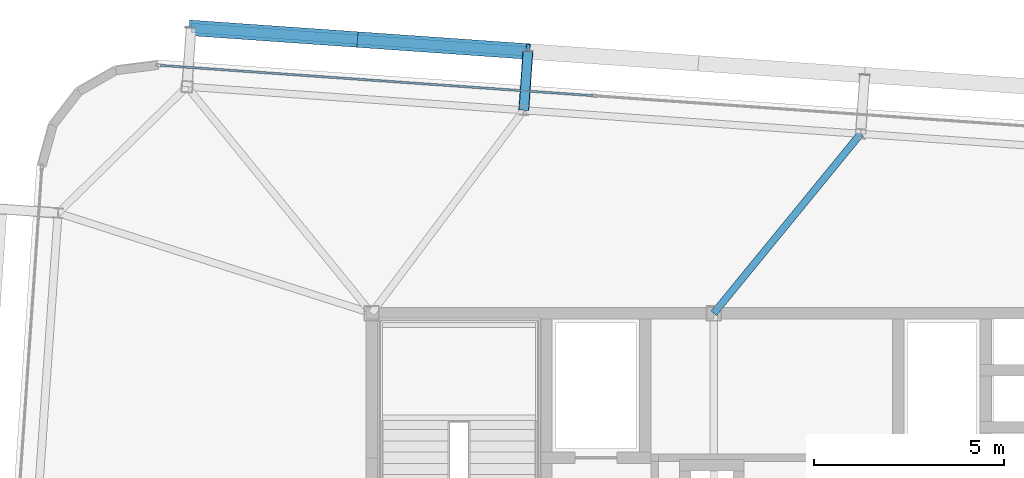
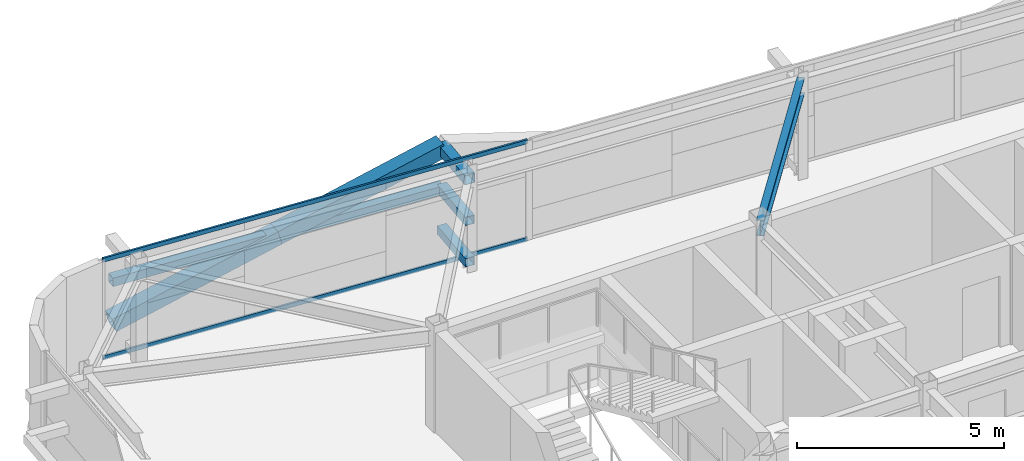
# One storey, part 20 of 39: 8 members, 1 beam, 1 element without a shape of its own.
"""IFC4 building model written with IfcOpenShell, lengths in metres."""

from ifc_helpers import new_model, si_unit, direction, frame, origin, origin_2d, place, context, subcontext, project, spatial, hollow_rectangle, i_section, extrude, source, transform, mapped, material, layer, layer_set, material_profile, profile_set, type_object, element, aggregate, save


model = new_model("IFC4")

# Units and contexts
model_context = context("Model", 3, precision=1e-05, world=origin(), true_north=direction((0.0, 1.0)))
body_context = subcontext(model_context, "Body", "Model", "MODEL_VIEW")
ifc_project = project(units=[si_unit("LENGTHUNIT", "METRE"), si_unit("AREAUNIT", "SQUARE_METRE"), si_unit("VOLUMEUNIT", "CUBIC_METRE"), si_unit("PLANEANGLEUNIT", "RADIAN"), si_unit("MASSUNIT", "GRAM", prefix="KILO")], contexts=[model_context])

# Site, building, storey
site_placement = place(None, origin())
site = spatial("IfcSite", under=ifc_project, at=site_placement, CompositionType="ELEMENT")
building_placement = place(site_placement, origin())
building = spatial("IfcBuilding", under=site, at=building_placement, Name="Taldren Reach Tower", CompositionType="ELEMENT")
storey_placement = place(building_placement, frame((0.0, 0.0, 126.699951171875)))
storey = spatial("IfcBuildingStorey", under=building, at=storey_placement, Name="L38", CompositionType="ELEMENT", Elevation=126.699951171875)

# Members
ifc_material_1 = material(Name="Steel Gr 450 (C450L0)", Category="steel")
ifc_material_profile_1 = material_profile(ifc_material_1, hollow_rectangle(XDim=0.27490234375, YDim=0.27490234375, WallThickness=0.00927734375, at=origin_2d()), Name="275x275x9.3SHS")
ifc_profile_set_1 = profile_set([ifc_material_profile_1], Name="Steel Gr 450 (C450L0)")
member_type_1 = type_object("IfcMemberType", Name="MB-TIE273", PredefinedType="STRUT", material=ifc_profile_set_1)
shared_shape_1 = source(origin(), body_context, "Body", "SweptSolid", [
    extrude(hollow_rectangle(XDim=0.27490234375, YDim=0.27490234375, WallThickness=0.00927734375, at=origin_2d()), origin(), (0.0, 0.0, 1.0), 1.5498046875),
])
member_1_placement = place(storey_placement, frame((23.0029296875, 37.33935546875, 2.650146484375), z_axis=(0.069780535098, 0.997562367434, 0.0), x_axis=(-0.997562367434, 0.069780535098, 0.0)))
element("IfcMember", 1, at=member_1_placement, inside=storey, type_object=member_type_1, Name="Exoskeleton diaphragm tie strut B3-N2 L38", PredefinedType="STRUT", context=body_context, shape_type="MappedRepresentation", body=[
    mapped(shared_shape_1, transform((0.0, 0.0, 0.0), scale=1.0)),
])
ifc_material_2 = material(Name="Steel Gr 350 (C350L0)", Category="steel")
ifc_material_profile_2 = material_profile(ifc_material_2, hollow_rectangle(XDim=0.25, YDim=0.25, WallThickness=0.010009765625, at=origin_2d()), Name="250x250x10.0SHS")
ifc_profile_set_2 = profile_set([ifc_material_profile_2], Name="Steel Gr 350 (C350L0)")
member_type_2 = type_object("IfcMemberType", Name="MB-POST250", PredefinedType="POST", material=ifc_profile_set_2)
shared_shape_2 = source(origin(), body_context, "Body", "SweptSolid", [
    extrude(hollow_rectangle(XDim=0.25, YDim=0.25, WallThickness=0.010009765625, at=origin_2d()), origin(), (0.0, 0.0, 1.0), 1.5498046875),
])
for number, where, z_axis, x_axis, name in (
    (2, (23.0029296875, 37.33935546875, 0.219970703125), (0.069780535098, 0.997562367434, 0.0), (-0.997562367434, 0.069780535098, 0.0), "Exoskeleton base diaphragm tie strut B3-N2 L38"),
    (3, (23.0029296875, 37.33935546875, 1.43505859375), (0.069780535098, 0.997562367434, 0.0), (-0.997562367434, 0.069780535098, 0.0), "Exoskeleton mid-tier diaphragm tie B3-N2 L38"),
):
    element("IfcMember", number, at=place(storey_placement, frame(where, z_axis=z_axis, x_axis=x_axis)), inside=storey, type_object=member_type_2, Name=name, PredefinedType="POST", context=body_context, shape_type="MappedRepresentation", body=[
        mapped(shared_shape_2, transform((0.0, 0.0, 0.0), scale=1.0)),
    ])

# Beam
ifc_material_3 = material(Name="Steel Gr 350 (350PLUS)", Category="steel")
ifc_material_profile_3 = material_profile(ifc_material_3, i_section(OverallWidth=0.19091796875, OverallDepth=0.4599609375, WebThickness=0.010009765625, FlangeThickness=0.01611328125, at=origin_2d()), Name="460UB82.1")
ifc_profile_set_3 = profile_set([ifc_material_profile_3], Name="Steel Gr 350 (350PLUS)")
beam_type = type_object("IfcBeamType", Name="BM-UB460A", PredefinedType="BEAM", material=ifc_profile_set_3)
shared_shape_3 = source(origin(), body_context, "Body", "SweptSolid", [
    extrude(i_section(OverallWidth=0.19091796875, OverallDepth=0.4599609375, WebThickness=0.010009765625, FlangeThickness=0.01611328125, at=origin_2d()), origin(), (0.0, 0.0, 1.0), 6.09814453125),
])
beam_placement = place(storey_placement, frame((28.0, 32.0, 2.699951171875), z_axis=(0.633192006663, 0.773994756247, 0.0), x_axis=(-0.773994756247, 0.633192006663, 0.0)))
element("IfcBeam", 4, at=beam_placement, inside=storey, type_object=beam_type, Name="Primary floor girder B3-N3 L38", PredefinedType="BEAM", context=body_context, shape_type="MappedRepresentation", body=[
    mapped(shared_shape_3, transform((0.0, 0.0, 0.0), scale=1.0)),
])

# Members
shared_shape_4 = source(origin(), body_context, "Body", "SweptSolid", [
    extrude(hollow_rectangle(XDim=0.25, YDim=0.25, WallThickness=0.010009765625, at=origin_2d()), origin(), (0.0, 0.0, 1.0), 8.880126953125),
])
member_2_placement = place(storey_placement, frame((14.252685546875, 39.5048828125, 1.43505859375), z_axis=(0.997564479639, -0.069750333063, 0.0), x_axis=(0.069750333063, 0.997564479639, 0.0)))
element("IfcMember", 5, at=member_2_placement, inside=storey, type_object=member_type_2, Name="Exoskeleton mid-height ring chord B3-N1 L38", PredefinedType="POST", context=body_context, shape_type="MappedRepresentation", body=[
    mapped(shared_shape_4, transform((0.0, 0.0, 0.0), scale=1.0)),
])
ifc_material_profile_4 = material_profile(ifc_material_1, hollow_rectangle(XDim=0.409912109375, YDim=0.409912109375, WallThickness=0.01611328125, at=origin_2d()), Name="410x410x16.0SHS")
ifc_profile_set_4 = profile_set([ifc_material_profile_4], Name="Steel Gr 450 (C450L0)")
member_type_3 = type_object("IfcMemberType", Name="MB-EXO406", PredefinedType="BRACE", material=ifc_profile_set_4)
shared_shape_5 = source(origin(), body_context, "Body", "SweptSolid", [
    extrude(hollow_rectangle(XDim=0.409912109375, YDim=0.409912109375, WallThickness=0.01611328125, at=origin_2d()), origin(), (0.0, 0.0, 1.0), 4.603271484375),
])
for number, where, z_axis, x_axis, name in (
    (6, (14.252685546875, 39.5048828125, 0.219970703125), (0.962185784239, -0.067250114343, 0.263962002434), (0.069722973508, 0.997566392259, 0.0), "Exoskeleton Diagrid Brace B3-N1 L38"),
    (7, (18.681884765625, 39.1953125, 1.43505859375), (0.962182351074, -0.067302910567, 0.263961060594), (0.06977769246, 0.997562566276, 0.0), "Exoskeleton Diagrid Brace B3-N1 L38"),
):
    element("IfcMember", number, at=place(storey_placement, frame(where, z_axis=z_axis, x_axis=x_axis)), inside=storey, type_object=member_type_3, Name=name, PredefinedType="BRACE", context=body_context, shape_type="MappedRepresentation", body=[
        mapped(shared_shape_5, transform((0.0, 0.0, 0.0), scale=1.0)),
    ])

# Curtain wall, members
ifc_material_4 = material(Name="Aluminium and Low-E Glass Unitised System", Category="aluminium")
ifc_layer = layer(ifc_material_4, 0.159912109375)
ifc_layer_set = layer_set([ifc_layer], Name="Aluminium and Low-E Glass Unitised System")
curtain_wall_type = type_object("IfcCurtainWallType", Name="CW-SYS-4", PredefinedType="NOTDEFINED", material=ifc_layer_set)
curtain_wall_placement = place(storey_placement, origin())
curtain_wall = element("IfcCurtainWall", 8, at=curtain_wall_placement, inside=storey, type_object=curtain_wall_type, Name="Unitised curtain wall CW-L38-N", PredefinedType="NOTDEFINED")
ifc_material_5 = material(Name="Anodised Aluminium 6063-T6", Category="aluminium")
ifc_material_profile_5 = material_profile(ifc_material_5, hollow_rectangle(XDim=0.054931640625, YDim=0.1201171875, WallThickness=0.0029296875, at=origin_2d()), Name="ALU-120x55x3RHS")
ifc_profile_set_5 = profile_set([ifc_material_profile_5], Name="Anodised Aluminium 6063-T6")
member_type_4 = type_object("IfcMemberType", Name="CW-TRN-135", PredefinedType="USERDEFINED", material=ifc_profile_set_5)
shared_shape_6 = source(origin(), body_context, "Body", "SweptSolid", [
    extrude(hollow_rectangle(XDim=0.054931640625, YDim=0.1201171875, WallThickness=0.0029296875, at=origin_2d()), origin(), (0.0, 0.0, 1.0), 11.39501953125),
])
member_3_placement = place(storey_placement, frame((24.819091796875, 37.7236328125, 0.027587890625), z_axis=(-0.997563740682, 0.069760900766, 0.0), x_axis=(-0.069760900766, -0.997563740682, 0.0)))
member_3 = element("IfcMember", 9, at=member_3_placement, type_object=member_type_4, Name="CW-4 transom 4.1", ObjectType="TRANSOM", PredefinedType="USERDEFINED", context=body_context, shape_type="MappedRepresentation", body=[
    mapped(shared_shape_6, transform((0.0, 0.0, 0.0), scale=1.0)),
])
member_4_placement = place(storey_placement, frame((24.819091796875, 37.7236328125, 2.902587890625), z_axis=(-0.997563740682, 0.069760900766, 0.0), x_axis=(-0.069760900766, -0.997563740682, 0.0)))
member_4 = element("IfcMember", 10, at=member_4_placement, type_object=member_type_4, Name="CW-4 transom 4.2", ObjectType="TRANSOM", PredefinedType="USERDEFINED", context=body_context, shape_type="MappedRepresentation", body=[
    mapped(shared_shape_6, transform((0.0, 0.0, 0.0), scale=1.0)),
])
aggregate(curtain_wall, [member_3, member_4])

save(model, "model.ifc")
